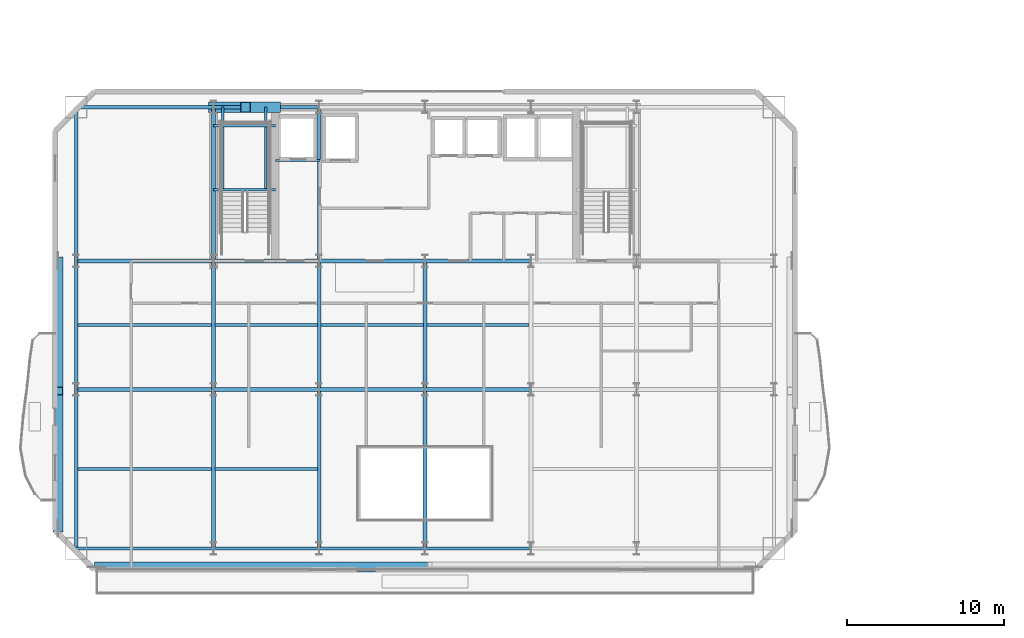
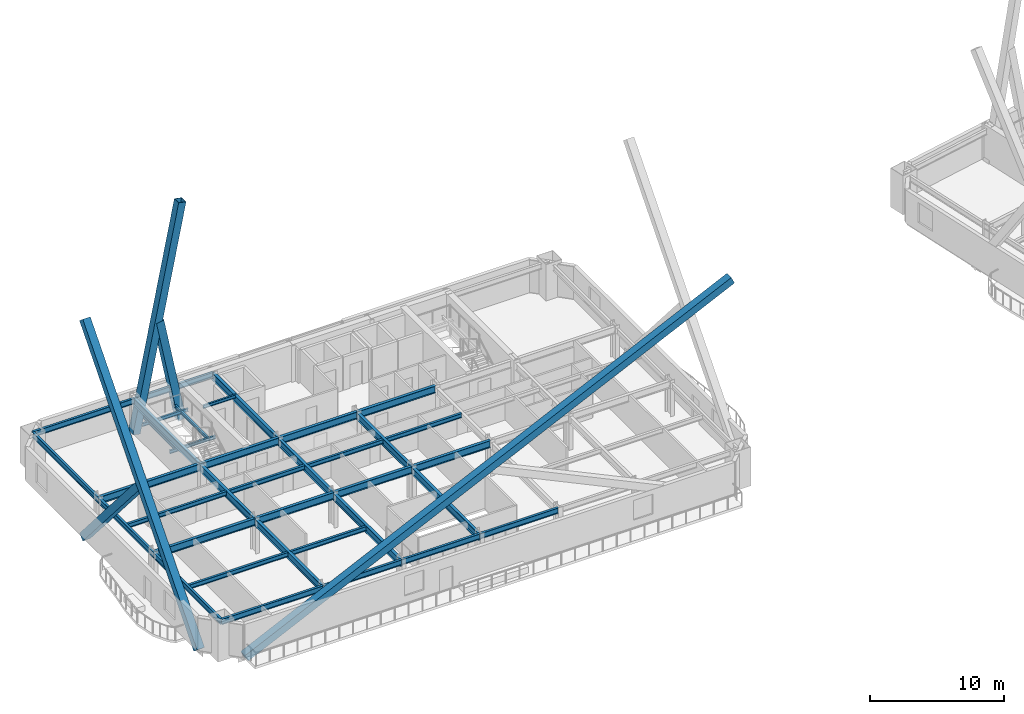
# One storey, part 3 of 22: 36 beams, 5 members.
"""IFC4 building model written with IfcOpenShell, lengths in metres."""

from ifc_helpers import new_model, si_unit, direction, frame, origin, origin_2d, place, context, subcontext, project, spatial, hollow_rectangle, i_section, extrude, material, material_profile, profile_set, type_object, element, save


model = new_model("IFC4")

# Units and contexts
model_context = context("Model", 3, precision=1e-05, world=origin(), true_north=direction((0.0, 1.0)))
body_context = subcontext(model_context, "Body", "Model", "MODEL_VIEW")
ifc_project = project(units=[si_unit("LENGTHUNIT", "METRE"), si_unit("AREAUNIT", "SQUARE_METRE"), si_unit("VOLUMEUNIT", "CUBIC_METRE"), si_unit("PLANEANGLEUNIT", "RADIAN"), si_unit("MASSUNIT", "GRAM", prefix="KILO")], contexts=[model_context])

# Site, building, storey
site_placement = place(None, origin())
site = spatial("IfcSite", under=ifc_project, at=site_placement, CompositionType="ELEMENT")
building_placement = place(site_placement, origin())
building = spatial("IfcBuilding", under=site, at=building_placement, Name="Haevon Station Towers", CompositionType="ELEMENT")
storey_placement = place(building_placement, frame((0.0, 0.0, 93.300048828125)))
storey = spatial("IfcBuildingStorey", under=building, at=storey_placement, Name="L24", CompositionType="ELEMENT", Elevation=93.300048828125)

# Beams
ifc_material_1 = material(Name="Steel S355", Category="steel")
ifc_material_profile_1 = material_profile(ifc_material_1, i_section(OverallWidth=0.25, OverallDepth=0.64990234375, WebThickness=0.012939453125, FlangeThickness=0.02197265625, at=origin_2d()), Name="H-650x250x13x22")
ifc_profile_set_1 = profile_set([ifc_material_profile_1], Name="Steel S355")
beam_type_1 = type_object("IfcBeamType", Name="BM-G650", PredefinedType="BEAM", material=ifc_profile_set_1)
beam_1_placement = place(storey_placement, frame((15.25, 30.0, 2.724853515625), z_axis=(1.0, 0.0, 0.0), x_axis=(0.0, 1.0, 0.0)))
element("IfcBeam", 1, at=beam_1_placement, inside=storey, type_object=beam_type_1, Name="BM-T1U-L24-02-01", PredefinedType="BEAM", context=body_context, shape_type="SweptSolid", body=[
    extrude(i_section(OverallWidth=0.25, OverallDepth=0.64990234375, WebThickness=0.012939453125, FlangeThickness=0.02197265625, at=origin_2d()), origin(), (0.0, 0.0, 1.0), 8.75),
])
for number, where, z_axis, x_axis, name in (
    (2, (24.0, 30.0, 2.724853515625), (1.0, 0.0, 0.0), (0.0, 1.0, 0.0), "BM-T1U-L24-02-02"),
    (3, (30.75, 30.0, 2.724853515625), (1.0, 0.0, 0.0), (0.0, 1.0, 0.0), "BM-T1U-L24-02-03"),
    (4, (37.5, 30.0, 2.724853515625), (1.0, 0.0, 0.0), (0.0, 1.0, 0.0), "BM-T1U-L24-02-04"),
):
    element("IfcBeam", number, at=place(storey_placement, frame(where, z_axis=z_axis, x_axis=x_axis)), inside=storey, type_object=beam_type_1, Name=name, PredefinedType="BEAM", context=body_context, shape_type="SweptSolid", body=[
        extrude(i_section(OverallWidth=0.25, OverallDepth=0.64990234375, WebThickness=0.012939453125, FlangeThickness=0.02197265625, at=origin_2d()), origin(), (0.0, 0.0, 1.0), 6.75),
    ])
beam_2_placement = place(storey_placement, frame((15.25, 38.199951171875, 2.724853515625), z_axis=(1.0, 0.0, 0.0), x_axis=(0.0, 1.0, 0.0)))
element("IfcBeam", 5, at=beam_2_placement, inside=storey, type_object=beam_type_1, Name="BM-T1U-L24-03-01", PredefinedType="BEAM", context=body_context, shape_type="SweptSolid", body=[
    extrude(i_section(OverallWidth=0.25, OverallDepth=0.64990234375, WebThickness=0.012939453125, FlangeThickness=0.02197265625, at=origin_2d()), origin(), (0.0, 0.0, 1.0), 8.75),
])
for number, where, z_axis, x_axis, name in (
    (6, (24.0, 38.199951171875, 2.724853515625), (1.0, 0.0, 0.0), (0.0, 1.0, 0.0), "BM-T1U-L24-03-02"),
    (7, (30.75, 38.199951171875, 2.724853515625), (1.0, 0.0, 0.0), (0.0, 1.0, 0.0), "BM-T1U-L24-03-03"),
    (8, (37.5, 38.199951171875, 2.724853515625), (1.0, 0.0, 0.0), (0.0, 1.0, 0.0), "BM-T1U-L24-03-04"),
):
    element("IfcBeam", number, at=place(storey_placement, frame(where, z_axis=z_axis, x_axis=x_axis)), inside=storey, type_object=beam_type_1, Name=name, PredefinedType="BEAM", context=body_context, shape_type="SweptSolid", body=[
        extrude(i_section(OverallWidth=0.25, OverallDepth=0.64990234375, WebThickness=0.012939453125, FlangeThickness=0.02197265625, at=origin_2d()), origin(), (0.0, 0.0, 1.0), 6.75),
    ])
beam_3_placement = place(storey_placement, frame((24.0, 19.85009765625, 2.724853515625), z_axis=(0.0, 1.0, 0.0), x_axis=(-1.0, 0.0, 0.0)))
element("IfcBeam", 9, at=beam_3_placement, inside=storey, type_object=beam_type_1, Name="BM-T1V-L24-02-01", PredefinedType="BEAM", context=body_context, shape_type="SweptSolid", body=[
    extrude(i_section(OverallWidth=0.25, OverallDepth=0.64990234375, WebThickness=0.012939453125, FlangeThickness=0.02197265625, at=origin_2d()), origin(), (0.0, 0.0, 1.0), 10.14990234375),
])
beam_4_placement = place(storey_placement, frame((24.0, 30.0, 2.724853515625), z_axis=(0.0, 1.0, 0.0), x_axis=(-1.0, 0.0, 0.0)))
element("IfcBeam", 10, at=beam_4_placement, inside=storey, type_object=beam_type_1, Name="BM-T1V-L24-02-02", PredefinedType="BEAM", context=body_context, shape_type="SweptSolid", body=[
    extrude(i_section(OverallWidth=0.25, OverallDepth=0.64990234375, WebThickness=0.012939453125, FlangeThickness=0.02197265625, at=origin_2d()), origin(), (0.0, 0.0, 1.0), 8.199951171875),
])
beam_5_placement = place(storey_placement, frame((24.0, 38.199951171875, 2.724853515625), z_axis=(0.0, 1.0, 0.0), x_axis=(-1.0, 0.0, 0.0)))
element("IfcBeam", 11, at=beam_5_placement, inside=storey, type_object=beam_type_1, Name="BM-T1V-L24-02-03", PredefinedType="BEAM", context=body_context, shape_type="SweptSolid", body=[
    extrude(i_section(OverallWidth=0.25, OverallDepth=0.64990234375, WebThickness=0.012939453125, FlangeThickness=0.02197265625, at=origin_2d()), origin(), (0.0, 0.0, 1.0), 9.800048828125),
])
beam_6_placement = place(storey_placement, frame((30.75, 19.85009765625, 2.724853515625), z_axis=(0.0, 1.0, 0.0), x_axis=(-1.0, 0.0, 0.0)))
element("IfcBeam", 12, at=beam_6_placement, inside=storey, type_object=beam_type_1, Name="BM-T1V-L24-03-01", PredefinedType="BEAM", context=body_context, shape_type="SweptSolid", body=[
    extrude(i_section(OverallWidth=0.25, OverallDepth=0.64990234375, WebThickness=0.012939453125, FlangeThickness=0.02197265625, at=origin_2d()), origin(), (0.0, 0.0, 1.0), 10.14990234375),
])
beam_7_placement = place(storey_placement, frame((30.75, 30.0, 2.724853515625), z_axis=(0.0, 1.0, 0.0), x_axis=(-1.0, 0.0, 0.0)))
element("IfcBeam", 13, at=beam_7_placement, inside=storey, type_object=beam_type_1, Name="BM-T1V-L24-03-02", PredefinedType="BEAM", context=body_context, shape_type="SweptSolid", body=[
    extrude(i_section(OverallWidth=0.25, OverallDepth=0.64990234375, WebThickness=0.012939453125, FlangeThickness=0.02197265625, at=origin_2d()), origin(), (0.0, 0.0, 1.0), 8.199951171875),
])
beam_8_placement = place(storey_placement, frame((30.75, 38.199951171875, 2.724853515625), z_axis=(0.0, 1.0, 0.0), x_axis=(-1.0, 0.0, 0.0)))
element("IfcBeam", 14, at=beam_8_placement, inside=storey, type_object=beam_type_1, Name="BM-T1V-L24-03-03", PredefinedType="BEAM", context=body_context, shape_type="SweptSolid", body=[
    extrude(i_section(OverallWidth=0.25, OverallDepth=0.64990234375, WebThickness=0.012939453125, FlangeThickness=0.02197265625, at=origin_2d()), origin(), (0.0, 0.0, 1.0), 9.800048828125),
])
beam_9_placement = place(storey_placement, frame((37.5, 19.85009765625, 2.724853515625), z_axis=(0.0, 1.0, 0.0), x_axis=(-1.0, 0.0, 0.0)))
element("IfcBeam", 15, at=beam_9_placement, inside=storey, type_object=beam_type_1, Name="BM-T1V-L24-04-01", PredefinedType="BEAM", context=body_context, shape_type="SweptSolid", body=[
    extrude(i_section(OverallWidth=0.25, OverallDepth=0.64990234375, WebThickness=0.012939453125, FlangeThickness=0.02197265625, at=origin_2d()), origin(), (0.0, 0.0, 1.0), 10.14990234375),
])
beam_10_placement = place(storey_placement, frame((37.5, 30.0, 2.724853515625), z_axis=(0.0, 1.0, 0.0), x_axis=(-1.0, 0.0, 0.0)))
element("IfcBeam", 16, at=beam_10_placement, inside=storey, type_object=beam_type_1, Name="BM-T1V-L24-04-02", PredefinedType="BEAM", context=body_context, shape_type="SweptSolid", body=[
    extrude(i_section(OverallWidth=0.25, OverallDepth=0.64990234375, WebThickness=0.012939453125, FlangeThickness=0.02197265625, at=origin_2d()), origin(), (0.0, 0.0, 1.0), 8.199951171875),
])
ifc_material_profile_2 = material_profile(ifc_material_1, i_section(OverallWidth=0.199951171875, OverallDepth=0.39990234375, WebThickness=0.008056640625, FlangeThickness=0.012939453125, at=origin_2d()), Name="H-400x200x8x13")
ifc_profile_set_2 = profile_set([ifc_material_profile_2], Name="Steel S355")
beam_type_2 = type_object("IfcBeamType", Name="BM-J400", PredefinedType="JOIST", material=ifc_profile_set_2)
beam_11_placement = place(storey_placement, frame((15.360107421875, 24.925048828125, 2.849853515625), z_axis=(1.0, 0.0, 0.0), x_axis=(0.0, 1.0, 0.0)))
element("IfcBeam", 17, at=beam_11_placement, inside=storey, type_object=beam_type_2, Name="BM-T1J-L24-01-01", PredefinedType="JOIST", context=body_context, shape_type="SweptSolid", body=[
    extrude(i_section(OverallWidth=0.199951171875, OverallDepth=0.39990234375, WebThickness=0.008056640625, FlangeThickness=0.012939453125, at=origin_2d()), origin(), (0.0, 0.0, 1.0), 8.52978515625),
])
beam_12_placement = place(storey_placement, frame((24.110107421875, 24.925048828125, 2.849853515625), z_axis=(1.0, 0.0, 0.0), x_axis=(0.0, 1.0, 0.0)))
element("IfcBeam", 18, at=beam_12_placement, inside=storey, type_object=beam_type_2, Name="BM-T1J-L24-01-02", PredefinedType="JOIST", context=body_context, shape_type="SweptSolid", body=[
    extrude(i_section(OverallWidth=0.199951171875, OverallDepth=0.39990234375, WebThickness=0.008056640625, FlangeThickness=0.012939453125, at=origin_2d()), origin(), (0.0, 0.0, 1.0), 6.52978515625),
])
beam_13_placement = place(storey_placement, frame((15.360107421875, 34.10009765625, 2.849853515625), z_axis=(1.0, 0.0, 0.0), x_axis=(0.0, 1.0, 0.0)))
element("IfcBeam", 19, at=beam_13_placement, inside=storey, type_object=beam_type_2, Name="BM-T1J-L24-02-01", PredefinedType="JOIST", context=body_context, shape_type="SweptSolid", body=[
    extrude(i_section(OverallWidth=0.199951171875, OverallDepth=0.39990234375, WebThickness=0.008056640625, FlangeThickness=0.012939453125, at=origin_2d()), origin(), (0.0, 0.0, 1.0), 8.52978515625),
])
for number, where, z_axis, x_axis, name in (
    (20, (24.110107421875, 34.10009765625, 2.849853515625), (1.0, 0.0, 0.0), (0.0, 1.0, 0.0), "BM-T1J-L24-02-02"),
    (21, (30.860107421875, 34.10009765625, 2.849853515625), (1.0, 0.0, 0.0), (0.0, 1.0, 0.0), "BM-T1J-L24-02-03"),
    (22, (37.610107421875, 34.10009765625, 2.849853515625), (1.0, 0.0, 0.0), (0.0, 1.0, 0.0), "BM-T1J-L24-02-04"),
):
    element("IfcBeam", number, at=place(storey_placement, frame(where, z_axis=z_axis, x_axis=x_axis)), inside=storey, type_object=beam_type_2, Name=name, PredefinedType="JOIST", context=body_context, shape_type="SweptSolid", body=[
        extrude(i_section(OverallWidth=0.199951171875, OverallDepth=0.39990234375, WebThickness=0.008056640625, FlangeThickness=0.012939453125, at=origin_2d()), origin(), (0.0, 0.0, 1.0), 6.52978515625),
    ])
ifc_material_profile_3 = material_profile(ifc_material_1, i_section(OverallWidth=0.14990234375, OverallDepth=0.300048828125, WebThickness=0.006591796875, FlangeThickness=0.009033203125, at=origin_2d()), Name="H-300x150x6.5x9")
ifc_profile_set_3 = profile_set([ifc_material_profile_3], Name="Steel S355")
beam_type_3 = type_object("IfcBeamType", Name="BM-LIN300", PredefinedType="LINTEL", material=ifc_profile_set_3)
for number, where, z_axis, x_axis, name in (
    (23, (24.0, 42.743896484375, 1.300048828125), (1.0, 0.0, 0.0), (0.0, 1.0, 0.0), "BM-ST1L-L24-1-S"),
    (24, (24.0, 46.820068359375, 1.300048828125), (1.0, 0.0, 0.0), (0.0, 1.0, 0.0), "BM-ST1L-L24-1-N"),
):
    element("IfcBeam", number, at=place(storey_placement, frame(where, z_axis=z_axis, x_axis=x_axis)), inside=storey, type_object=beam_type_3, Name=name, PredefinedType="LINTEL", context=body_context, shape_type="SweptSolid", body=[
        extrude(i_section(OverallWidth=0.14990234375, OverallDepth=0.300048828125, WebThickness=0.006591796875, FlangeThickness=0.009033203125, at=origin_2d()), origin(), (0.0, 0.0, 1.0), 3.949951171875),
    ])
for number, where, z_axis, x_axis, name in (
    (25, (24.60009765625, 42.743896484375, 1.300048828125), (0.0, 1.0, 0.0), (-1.0, 0.0, 0.0), "BM-ST1L-L24-1-W"),
    (26, (27.35009765625, 42.743896484375, 1.300048828125), (0.0, 1.0, 0.0), (-1.0, 0.0, 0.0), "BM-ST1L-L24-1-E"),
):
    element("IfcBeam", number, at=place(storey_placement, frame(where, z_axis=z_axis, x_axis=x_axis)), inside=storey, type_object=beam_type_3, Name=name, PredefinedType="LINTEL", context=body_context, shape_type="SweptSolid", body=[
        extrude(i_section(OverallWidth=0.14990234375, OverallDepth=0.300048828125, WebThickness=0.006591796875, FlangeThickness=0.009033203125, at=origin_2d()), origin(), (0.0, 0.0, 1.0), 5.256103515625),
    ])
beam_14_placement = place(storey_placement, frame((27.949951171875, 44.60009765625, 2.89990234375), z_axis=(1.0, 0.0, 0.0), x_axis=(0.0, 1.0, 0.0)))
element("IfcBeam", 27, at=beam_14_placement, inside=storey, type_object=beam_type_3, Name="BM-T1LIN-L24", PredefinedType="LINTEL", context=body_context, shape_type="SweptSolid", body=[
    extrude(i_section(OverallWidth=0.14990234375, OverallDepth=0.300048828125, WebThickness=0.006591796875, FlangeThickness=0.009033203125, at=origin_2d()), origin(), (0.0, 0.0, 1.0), 2.85009765625),
])
ifc_material_profile_4 = material_profile(ifc_material_1, i_section(OverallWidth=0.199951171875, OverallDepth=0.5, WebThickness=0.010009765625, FlangeThickness=0.01611328125, at=origin_2d()), Name="H-500x200x10x16")
ifc_profile_set_4 = profile_set([ifc_material_profile_4], Name="Steel S355")
beam_type_4 = type_object("IfcBeamType", Name="BM-SP500", PredefinedType="SPANDREL", material=ifc_profile_set_4)
beam_15_placement = place(storey_placement, frame((15.25, 19.85009765625, 2.800048828125), z_axis=(1.0, 0.0, 0.0), x_axis=(0.0, 1.0, 0.0)))
element("IfcBeam", 28, at=beam_15_placement, inside=storey, type_object=beam_type_4, Name="BM-T1U-L24-01-01", PredefinedType="SPANDREL", context=body_context, shape_type="SweptSolid", body=[
    extrude(i_section(OverallWidth=0.199951171875, OverallDepth=0.5, WebThickness=0.010009765625, FlangeThickness=0.01611328125, at=origin_2d()), origin(), (0.0, 0.0, 1.0), 8.75),
])
for number, where, z_axis, x_axis, name in (
    (29, (24.0, 19.85009765625, 2.800048828125), (1.0, 0.0, 0.0), (0.0, 1.0, 0.0), "BM-T1U-L24-01-02"),
    (30, (30.75, 19.85009765625, 2.800048828125), (1.0, 0.0, 0.0), (0.0, 1.0, 0.0), "BM-T1U-L24-01-03"),
    (31, (37.5, 19.85009765625, 2.800048828125), (1.0, 0.0, 0.0), (0.0, 1.0, 0.0), "BM-T1U-L24-01-04"),
):
    element("IfcBeam", number, at=place(storey_placement, frame(where, z_axis=z_axis, x_axis=x_axis)), inside=storey, type_object=beam_type_4, Name=name, PredefinedType="SPANDREL", context=body_context, shape_type="SweptSolid", body=[
        extrude(i_section(OverallWidth=0.199951171875, OverallDepth=0.5, WebThickness=0.010009765625, FlangeThickness=0.01611328125, at=origin_2d()), origin(), (0.0, 0.0, 1.0), 6.75),
    ])
beam_16_placement = place(storey_placement, frame((15.25, 48.0, 2.800048828125), z_axis=(1.0, 0.0, 0.0), x_axis=(0.0, 1.0, 0.0)))
element("IfcBeam", 32, at=beam_16_placement, inside=storey, type_object=beam_type_4, Name="BM-T1U-L24-04-01", PredefinedType="SPANDREL", context=body_context, shape_type="SweptSolid", body=[
    extrude(i_section(OverallWidth=0.199951171875, OverallDepth=0.5, WebThickness=0.010009765625, FlangeThickness=0.01611328125, at=origin_2d()), origin(), (0.0, 0.0, 1.0), 8.75),
])
beam_17_placement = place(storey_placement, frame((24.0, 48.0, 2.800048828125), z_axis=(1.0, 0.0, 0.0), x_axis=(0.0, 1.0, 0.0)))
element("IfcBeam", 33, at=beam_17_placement, inside=storey, type_object=beam_type_4, Name="BM-T1U-L24-04-02", PredefinedType="SPANDREL", context=body_context, shape_type="SweptSolid", body=[
    extrude(i_section(OverallWidth=0.199951171875, OverallDepth=0.5, WebThickness=0.010009765625, FlangeThickness=0.01611328125, at=origin_2d()), origin(), (0.0, 0.0, 1.0), 6.75),
])
beam_18_placement = place(storey_placement, frame((15.25, 19.85009765625, 2.800048828125), z_axis=(0.0, 1.0, 0.0), x_axis=(-1.0, 0.0, 0.0)))
element("IfcBeam", 34, at=beam_18_placement, inside=storey, type_object=beam_type_4, Name="BM-T1V-L24-01-01", PredefinedType="SPANDREL", context=body_context, shape_type="SweptSolid", body=[
    extrude(i_section(OverallWidth=0.199951171875, OverallDepth=0.5, WebThickness=0.010009765625, FlangeThickness=0.01611328125, at=origin_2d()), origin(), (0.0, 0.0, 1.0), 10.14990234375),
])
beam_19_placement = place(storey_placement, frame((15.25, 30.0, 2.800048828125), z_axis=(0.0, 1.0, 0.0), x_axis=(-1.0, 0.0, 0.0)))
element("IfcBeam", 35, at=beam_19_placement, inside=storey, type_object=beam_type_4, Name="BM-T1V-L24-01-02", PredefinedType="SPANDREL", context=body_context, shape_type="SweptSolid", body=[
    extrude(i_section(OverallWidth=0.199951171875, OverallDepth=0.5, WebThickness=0.010009765625, FlangeThickness=0.01611328125, at=origin_2d()), origin(), (0.0, 0.0, 1.0), 8.199951171875),
])
beam_20_placement = place(storey_placement, frame((15.25, 38.199951171875, 2.800048828125), z_axis=(0.0, 1.0, 0.0), x_axis=(-1.0, 0.0, 0.0)))
element("IfcBeam", 36, at=beam_20_placement, inside=storey, type_object=beam_type_4, Name="BM-T1V-L24-01-03", PredefinedType="SPANDREL", context=body_context, shape_type="SweptSolid", body=[
    extrude(i_section(OverallWidth=0.199951171875, OverallDepth=0.5, WebThickness=0.010009765625, FlangeThickness=0.01611328125, at=origin_2d()), origin(), (0.0, 0.0, 1.0), 9.800048828125),
])

# Members
ifc_material_2 = material(Name="Steel S460", Category="steel")
ifc_material_profile_5 = material_profile(ifc_material_2, hollow_rectangle(XDim=0.64990234375, YDim=0.64990234375, WallThickness=0.031982421875, at=origin_2d()), Name="RHS-650x650x32")
ifc_profile_set_5 = profile_set([ifc_material_profile_5], Name="Steel S460")
member_type = type_object("IfcMemberType", Name="MB-650", PredefinedType="BRACE", material=ifc_profile_set_5)
member_1_placement = place(storey_placement, frame((16.550048828125, 18.679931640625, -0.1201171875), z_axis=(0.90438232768, 0.0, 0.426723101531), x_axis=(0.0, 1.0, 0.0)))
element("IfcMember", 37, at=member_1_placement, inside=storey, type_object=member_type, Name="BR-T1MB-T03-S-D1", PredefinedType="BRACE", context=body_context, shape_type="SweptSolid", body=[
    extrude(hollow_rectangle(XDim=0.64990234375, YDim=0.64990234375, WallThickness=0.031982421875, at=origin_2d()), origin(), (0.0, 0.0, 1.0), 46.329833984375),
])
member_2_placement = place(storey_placement, frame((24.0, 48.0, -0.1201171875), z_axis=(0.19592284188, 0.0, 0.98061931453), x_axis=(0.0, 1.0, 0.0)))
element("IfcMember", 38, at=member_2_placement, inside=storey, type_object=member_type, Name="BR-T1MB-T03-N-D1", PredefinedType="BRACE", context=body_context, shape_type="SweptSolid", body=[
    extrude(hollow_rectangle(XDim=0.64990234375, YDim=0.64990234375, WallThickness=0.031982421875, at=origin_2d()), origin(), (0.0, 0.0, 1.0), 20.16064453125),
])
member_3_placement = place(storey_placement, frame((27.949951171875, 48.0, -0.1201171875), z_axis=(-0.195918568482, 0.0, 0.980620168324), x_axis=(0.0, -1.0, 0.0)))
element("IfcMember", 39, at=member_3_placement, inside=storey, type_object=member_type, Name="BR-T1MB-T03-N-D2A", PredefinedType="BRACE", context=body_context, shape_type="SweptSolid", body=[
    extrude(hollow_rectangle(XDim=0.64990234375, YDim=0.64990234375, WallThickness=0.031982421875, at=origin_2d()), origin(), (0.0, 0.0, 1.0), 9.743408203125),
])
member_4_placement = place(storey_placement, frame((14.080078125, 21.14990234375, -0.1201171875), z_axis=(0.0, 0.653091857215, 0.757278697733), x_axis=(-1.0, 0.0, 0.0)))
element("IfcMember", 40, at=member_4_placement, inside=storey, type_object=member_type, Name="BR-T1MB-T03-W-D1", PredefinedType="BRACE", context=body_context, shape_type="SweptSolid", body=[
    extrude(hollow_rectangle(XDim=0.64990234375, YDim=0.64990234375, WallThickness=0.031982421875, at=origin_2d()), origin(), (0.0, 0.0, 1.0), 26.106689453125),
])
member_5_placement = place(storey_placement, frame((14.080078125, 38.199951171875, -0.1201171875), z_axis=(0.0, -0.653088865752, 0.757281277618), x_axis=(1.0, 0.0, 0.0)))
element("IfcMember", 41, at=member_5_placement, inside=storey, type_object=member_type, Name="BR-T1MB-T03-W-D2A", PredefinedType="BRACE", context=body_context, shape_type="SweptSolid", body=[
    extrude(hollow_rectangle(XDim=0.64990234375, YDim=0.64990234375, WallThickness=0.031982421875, at=origin_2d()), origin(), (0.0, 0.0, 1.0), 12.71630859375),
])

save(model, "model.ifc")
